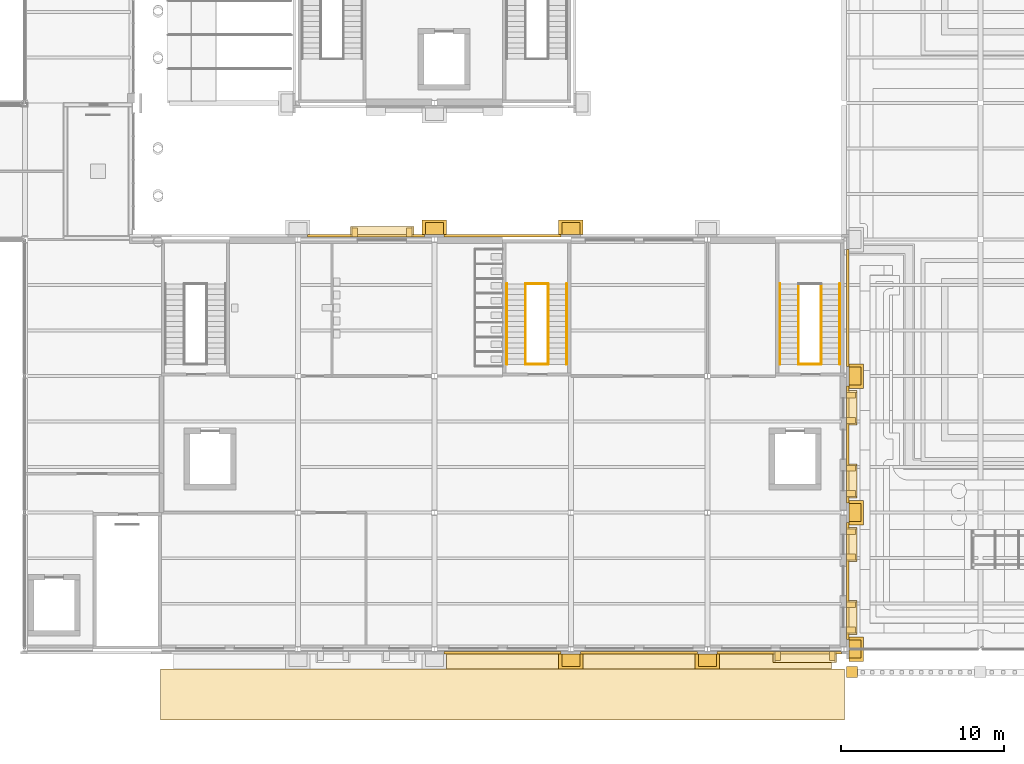
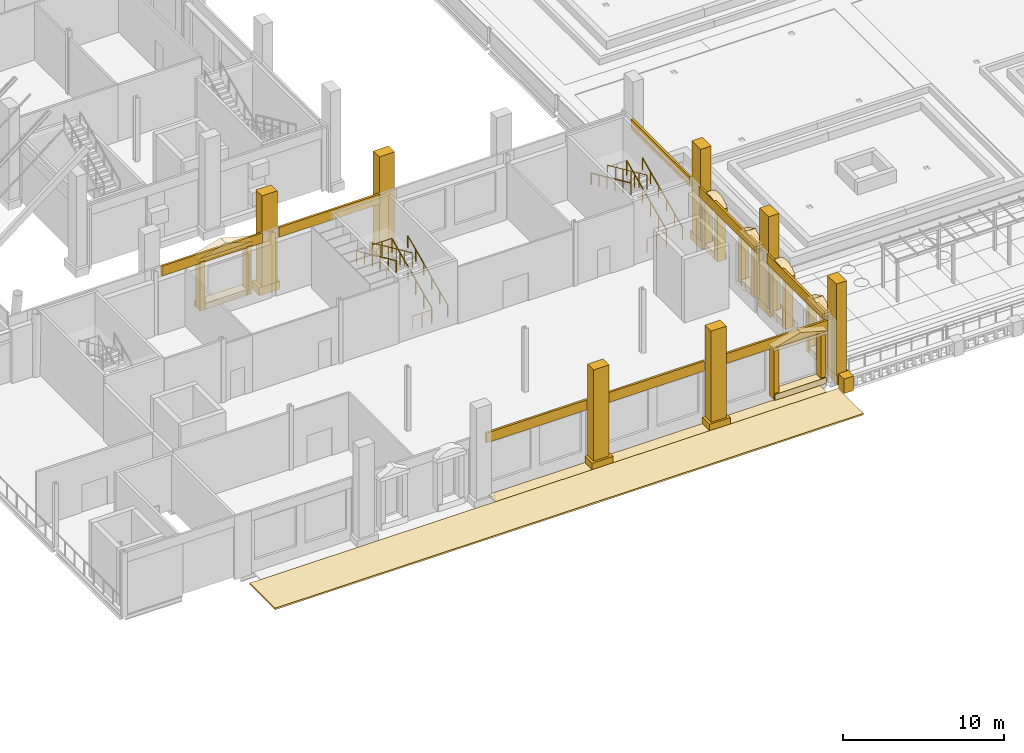
# One storey, part 64 of 76: 57 coverings, 11 railings.
"""IFC4 building model written with IfcOpenShell, lengths in metres."""

from ifc_helpers import new_model, si_unit, direction, frame, origin, origin_2d, place, context, subcontext, project, spatial, polyline, rectangle, circle, outline, extrude, material, layer, layer_set, type_object, element, save


model = new_model("IFC4")

# Units and contexts
model_context = context("Model", 3, precision=1e-05, world=origin(), true_north=direction((0.0, 1.0)))
body_context = subcontext(model_context, "Body", "Model", "MODEL_VIEW")
ifc_project = project(units=[si_unit("LENGTHUNIT", "METRE"), si_unit("AREAUNIT", "SQUARE_METRE"), si_unit("VOLUMEUNIT", "CUBIC_METRE"), si_unit("PLANEANGLEUNIT", "RADIAN"), si_unit("MASSUNIT", "GRAM", prefix="KILO")], contexts=[model_context])

# Site, building, storey
site_placement = place(None, origin())
site = spatial("IfcSite", under=ifc_project, at=site_placement, CompositionType="ELEMENT")
building_placement = place(site_placement, origin())
building = spatial("IfcBuilding", under=site, at=building_placement, Name="Sava Quay Ferry Terminal", CompositionType="ELEMENT")
storey_placement = place(building_placement, frame((0.0, 0.0, 6.0)))
storey = spatial("IfcBuildingStorey", under=building, at=storey_placement, Name="L01", CompositionType="ELEMENT", Elevation=6.0)

# Coverings
ifc_material_1 = material(Name="Standing-seam lead roofing")
ifc_layer_1 = layer(ifc_material_1, 0.1201171875)
ifc_layer_set_1 = layer_set([ifc_layer_1], Name="Standing-seam lead roofing")
covering_type_1 = type_object("IfcCoveringType", Name="Arcade roof covering 120", PredefinedType="ROOFING", material=ifc_layer_set_1)
covering_1_placement = place(storey_placement, frame((105.0, 22.419921875, 0.0), z_axis=(0.0, 0.0, 1.0), x_axis=(1.0, 0.0, 0.0)))
element("IfcCovering", 1, at=covering_1_placement, inside=storey, type_object=covering_type_1, Name="Arcade roof covering", PredefinedType="ROOFING", context=body_context, shape_type="SweptSolid", body=[
    extrude(rectangle(XDim=42.10009765625, YDim=3.139892578125, at=origin_2d()), origin(), (0.0, 0.0, 1.0), 0.1201171875),
])
for number, where, z_axis, x_axis, name in (
    (2, (105.0, 24.43994140625, 0.0), (0.0, 0.0, 1.0), (1.0, 0.0, 0.0), "Arcade roof covering"),
    (3, (113.39990234375, 24.43994140625, 0.0), (0.0, 0.0, 1.0), (1.0, 0.0, 0.0), "Arcade roof covering"),
    (4, (121.800048828125, 24.43994140625, 0.0), (0.0, 0.0, 1.0), (1.0, 0.0, 0.0), "Arcade roof covering"),
):
    element("IfcCovering", number, at=place(storey_placement, frame(where, z_axis=z_axis, x_axis=x_axis)), inside=storey, type_object=covering_type_1, Name=name, PredefinedType="ROOFING", context=body_context, shape_type="SweptSolid", body=[
        extrude(rectangle(XDim=6.89990234375, YDim=0.89990234375, at=origin_2d()), origin(), (0.0, 0.0, 1.0), 0.1201171875),
    ])
ifc_material_2 = material(Name="Limestone Mutalj", Category="masonry")
ifc_layer_2 = layer(ifc_material_2, 0.699951171875)
ifc_layer_set_2 = layer_set([ifc_layer_2], Name="Limestone Mutalj")
covering_type_2 = type_object("IfcCoveringType", Name="Balustrade pier 700", PredefinedType="MOLDING", material=ifc_layer_set_2)
covering_2_placement = place(storey_placement, frame((126.5, 23.7900390625, 0.0), z_axis=(0.0, 0.0, 1.0), x_axis=(1.0, 0.0, 0.0)))
element("IfcCovering", 5, at=covering_2_placement, inside=storey, type_object=covering_type_2, Name="Balustrade pier", PredefinedType="MOLDING", context=body_context, shape_type="SweptSolid", body=[
    extrude(rectangle(XDim=0.699951171875, YDim=0.699951171875, at=origin_2d()), origin(), (0.0, 0.0, 1.0), 1.10009765625),
])
ifc_material_3 = material(Name="Limestone Mutalj", Category="masonry")
ifc_layer_3 = layer(ifc_material_3, 0.89990234375)
ifc_layer_set_3 = layer_set([ifc_layer_3], Name="Limestone Mutalj")
covering_type_3 = type_object("IfcCoveringType", Name="Giant-order pilaster base 1500", PredefinedType="MOLDING", material=ifc_layer_set_3)
for number, where, z_axis, x_axis, name in (
    (6, (126.75, 25.199951171875, 0.0), (0.0, 0.0, 1.0), (1.0, 0.0, 0.0), "Giant-order pilaster base"),
    (7, (126.75, 33.60009765625, 0.0), (0.0, 0.0, 1.0), (1.0, 0.0, 0.0), "Giant-order pilaster base"),
    (8, (126.75, 42.0, 0.0), (0.0, 0.0, 1.0), (1.0, 0.0, 0.0), "Giant-order pilaster base"),
):
    element("IfcCovering", number, at=place(storey_placement, frame(where, z_axis=z_axis, x_axis=x_axis)), inside=storey, type_object=covering_type_3, Name=name, PredefinedType="MOLDING", context=body_context, shape_type="SweptSolid", body=[
        extrude(rectangle(XDim=0.89990234375, YDim=1.5, at=origin_2d()), origin(), (0.0, 0.0, 1.0), 0.60009765625),
    ])
for number, where, z_axis, x_axis, name in (
    (9, (100.800048828125, 51.159912109375, 0.0), (0.0, 0.0, 1.0), (1.0, 0.0, 0.0), "Giant-order pilaster base"),
    (10, (109.199951171875, 51.159912109375, 0.0), (0.0, 0.0, 1.0), (1.0, 0.0, 0.0), "Giant-order pilaster base"),
    (11, (109.199951171875, 24.43994140625, 0.0), (0.0, 0.0, 1.0), (1.0, 0.0, 0.0), "Giant-order pilaster base"),
    (12, (117.60009765625, 24.43994140625, 0.0), (0.0, 0.0, 1.0), (1.0, 0.0, 0.0), "Giant-order pilaster base"),
):
    element("IfcCovering", number, at=place(storey_placement, frame(where, z_axis=z_axis, x_axis=x_axis)), inside=storey, type_object=covering_type_3, Name=name, PredefinedType="MOLDING", context=body_context, shape_type="SweptSolid", body=[
        extrude(rectangle(XDim=1.5, YDim=0.89990234375, at=origin_2d()), origin(), (0.0, 0.0, 1.0), 0.60009765625),
    ])
ifc_material_4 = material(Name="Limestone Mutalj", Category="masonry")
ifc_layer_4 = layer(ifc_material_4, 0.75)
ifc_layer_set_4 = layer_set([ifc_layer_4], Name="Limestone Mutalj")
covering_type_4 = type_object("IfcCoveringType", Name="Giant-order pilaster shaft 1100", PredefinedType="CLADDING", material=ifc_layer_set_4)
for number, where, z_axis, x_axis, name in (
    (13, (126.675048828125, 25.199951171875, 0.60009765625), (0.0, 0.0, 1.0), (1.0, 0.0, 0.0), "Giant-order pilaster"),
    (14, (126.675048828125, 33.60009765625, 0.60009765625), (0.0, 0.0, 1.0), (1.0, 0.0, 0.0), "Giant-order pilaster"),
    (15, (126.675048828125, 42.0, 0.60009765625), (0.0, 0.0, 1.0), (1.0, 0.0, 0.0), "Giant-order pilaster"),
):
    element("IfcCovering", number, at=place(storey_placement, frame(where, z_axis=z_axis, x_axis=x_axis)), inside=storey, type_object=covering_type_4, Name=name, PredefinedType="CLADDING", context=body_context, shape_type="SweptSolid", body=[
        extrude(rectangle(XDim=0.75, YDim=1.10009765625, at=origin_2d()), origin(), (0.0, 0.0, 1.0), 6.89990234375),
    ])
for number, where, z_axis, x_axis, name in (
    (16, (100.800048828125, 51.0849609375, 0.60009765625), (0.0, 0.0, 1.0), (1.0, 0.0, 0.0), "Giant-order pilaster"),
    (17, (109.199951171875, 51.0849609375, 0.60009765625), (0.0, 0.0, 1.0), (1.0, 0.0, 0.0), "Giant-order pilaster"),
    (18, (109.199951171875, 24.514892578125, 0.60009765625), (0.0, 0.0, 1.0), (1.0, 0.0, 0.0), "Giant-order pilaster"),
    (19, (117.60009765625, 24.514892578125, 0.60009765625), (0.0, 0.0, 1.0), (1.0, 0.0, 0.0), "Giant-order pilaster"),
):
    element("IfcCovering", number, at=place(storey_placement, frame(where, z_axis=z_axis, x_axis=x_axis)), inside=storey, type_object=covering_type_4, Name=name, PredefinedType="CLADDING", context=body_context, shape_type="SweptSolid", body=[
        extrude(rectangle(XDim=1.10009765625, YDim=0.75, at=origin_2d()), origin(), (0.0, 0.0, 1.0), 6.89990234375),
    ])

# Railings
ifc_material_5 = material(Name="Steel S355", Category="steel")
railing_type_1 = type_object("IfcRailingType", Name="Guard 1100", PredefinedType="GUARDRAIL", material=ifc_material_5)
railing_1_placement = place(storey_placement, frame((106.39990234375, 42.72998046875, 0.0)))
element("IfcRailing", 20, at=railing_1_placement, inside=storey, type_object=railing_type_1, Name="Guard at stair well ST-P3 L01", PredefinedType="GUARDRAIL", context=body_context, shape_type="SweptSolid", body=[
    extrude(circle(Radius=0.02392578125, at=origin_2d()), frame((0.0, 0.0, 1.076171875), z_axis=(1.0, 0.0, 0.0), x_axis=(0.0, 1.0, 0.0)), (0.0, 0.0, 1.0), 1.400146484375),
    extrude(circle(Radius=0.02099609375, at=origin_2d()), origin(), (0.0, 0.0, 1.0), 1.052001953125),
    extrude(circle(Radius=0.02099609375, at=origin_2d()), frame((0.7001953125, 0.0, 0.0)), (0.0, 0.0, 1.0), 1.052001953125),
    extrude(circle(Radius=0.02099609375, at=origin_2d()), frame((1.400146484375, 0.0, 0.0)), (0.0, 0.0, 1.0), 1.052001953125),
])
railing_2_placement = place(storey_placement, frame((107.800048828125, 42.72998046875, 0.14990234375)))
element("IfcRailing", 21, at=railing_2_placement, inside=storey, type_object=railing_type_1, Name="Guard at stair well ST-P3 L01", PredefinedType="GUARDRAIL", context=body_context, shape_type="SweptSolid", body=[
    extrude(circle(Radius=0.02392578125, at=origin_2d()), frame((0.0, 0.0, 1.076171875), z_axis=(0.0, 0.910364939756, 0.41380632724), x_axis=(-1.0, 0.0, 0.0)), (0.0, 0.0, 1.0), 5.437255859375),
    extrude(circle(Radius=0.02099609375, at=origin_2d()), origin(), (0.0, 0.0, 1.0), 1.052001953125),
    extrude(circle(Radius=0.02099609375, at=origin_2d()), frame((0.0, 0.989990234375, 0.449951171875)), (0.0, 0.0, 1.0), 1.052001953125),
    extrude(circle(Radius=0.02099609375, at=origin_2d()), frame((0.0, 1.97998046875, 0.89990234375)), (0.0, 0.0, 1.0), 1.052001953125),
    extrude(circle(Radius=0.02099609375, at=origin_2d()), frame((0.0, 2.969970703125, 1.35009765625)), (0.0, 0.0, 1.0), 1.052001953125),
    extrude(circle(Radius=0.02099609375, at=origin_2d()), frame((0.0, 3.9599609375, 1.800048828125)), (0.0, 0.0, 1.0), 1.052001953125),
    extrude(circle(Radius=0.02099609375, at=origin_2d()), frame((0.0, 4.949951171875, 2.25)), (0.0, 0.0, 1.0), 1.052001953125),
])
railing_3_placement = place(storey_placement, frame((106.39990234375, 47.679931640625, 2.550048828125)))
element("IfcRailing", 22, at=railing_3_placement, inside=storey, type_object=railing_type_1, Name="Guard at stair well ST-P3 L01", PredefinedType="GUARDRAIL", context=body_context, shape_type="SweptSolid", body=[
    extrude(circle(Radius=0.02392578125, at=origin_2d()), frame((0.0, 0.0, 1.076171875), z_axis=(0.0, -0.910364939756, 0.41380632724), x_axis=(1.0, 0.0, 0.0)), (0.0, 0.0, 1.0), 5.437255859375),
    extrude(circle(Radius=0.02099609375, at=origin_2d()), origin(), (0.0, 0.0, 1.0), 1.052001953125),
    extrude(circle(Radius=0.02099609375, at=origin_2d()), frame((0.0, -0.989990234375, 0.449951171875)), (0.0, 0.0, 1.0), 1.052001953125),
    extrude(circle(Radius=0.02099609375, at=origin_2d()), frame((0.0, -1.97998046875, 0.89990234375)), (0.0, 0.0, 1.0), 1.052001953125),
    extrude(circle(Radius=0.02099609375, at=origin_2d()), frame((0.0, -2.969970703125, 1.35009765625)), (0.0, 0.0, 1.0), 1.052001953125),
    extrude(circle(Radius=0.02099609375, at=origin_2d()), frame((0.0, -3.9599609375, 1.800048828125)), (0.0, 0.0, 1.0), 1.052001953125),
    extrude(circle(Radius=0.02099609375, at=origin_2d()), frame((0.0, -4.949951171875, 2.25)), (0.0, 0.0, 1.0), 1.052001953125),
])
for number, where, name in (
    (23, (106.39990234375, 47.679931640625, 2.39990234375), "Guard at half landing ST-P3 L01"),
    (24, (123.199951171875, 42.72998046875, 0.0), "Guard at stair well ST-P2 L01"),
):
    element("IfcRailing", number, at=place(storey_placement, frame(where)), inside=storey, type_object=railing_type_1, Name=name, PredefinedType="GUARDRAIL", context=body_context, shape_type="SweptSolid", body=[
        extrude(circle(Radius=0.02392578125, at=origin_2d()), frame((0.0, 0.0, 1.076171875), z_axis=(1.0, 0.0, 0.0), x_axis=(0.0, 1.0, 0.0)), (0.0, 0.0, 1.0), 1.400146484375),
        extrude(circle(Radius=0.02099609375, at=origin_2d()), origin(), (0.0, 0.0, 1.0), 1.052001953125),
        extrude(circle(Radius=0.02099609375, at=origin_2d()), frame((0.7001953125, 0.0, 0.0)), (0.0, 0.0, 1.0), 1.052001953125),
        extrude(circle(Radius=0.02099609375, at=origin_2d()), frame((1.400146484375, 0.0, 0.0)), (0.0, 0.0, 1.0), 1.052001953125),
    ])
railing_4_placement = place(storey_placement, frame((124.60009765625, 42.72998046875, 0.14990234375)))
element("IfcRailing", 25, at=railing_4_placement, inside=storey, type_object=railing_type_1, Name="Guard at stair well ST-P2 L01", PredefinedType="GUARDRAIL", context=body_context, shape_type="SweptSolid", body=[
    extrude(circle(Radius=0.02392578125, at=origin_2d()), frame((0.0, 0.0, 1.076171875), z_axis=(0.0, 0.910364939756, 0.41380632724), x_axis=(-1.0, 0.0, 0.0)), (0.0, 0.0, 1.0), 5.437255859375),
    extrude(circle(Radius=0.02099609375, at=origin_2d()), origin(), (0.0, 0.0, 1.0), 1.052001953125),
    extrude(circle(Radius=0.02099609375, at=origin_2d()), frame((0.0, 0.989990234375, 0.449951171875)), (0.0, 0.0, 1.0), 1.052001953125),
    extrude(circle(Radius=0.02099609375, at=origin_2d()), frame((0.0, 1.97998046875, 0.89990234375)), (0.0, 0.0, 1.0), 1.052001953125),
    extrude(circle(Radius=0.02099609375, at=origin_2d()), frame((0.0, 2.969970703125, 1.35009765625)), (0.0, 0.0, 1.0), 1.052001953125),
    extrude(circle(Radius=0.02099609375, at=origin_2d()), frame((0.0, 3.9599609375, 1.800048828125)), (0.0, 0.0, 1.0), 1.052001953125),
    extrude(circle(Radius=0.02099609375, at=origin_2d()), frame((0.0, 4.949951171875, 2.25)), (0.0, 0.0, 1.0), 1.052001953125),
])
railing_5_placement = place(storey_placement, frame((123.199951171875, 47.679931640625, 2.550048828125)))
element("IfcRailing", 26, at=railing_5_placement, inside=storey, type_object=railing_type_1, Name="Guard at stair well ST-P2 L01", PredefinedType="GUARDRAIL", context=body_context, shape_type="SweptSolid", body=[
    extrude(circle(Radius=0.02392578125, at=origin_2d()), frame((0.0, 0.0, 1.076171875), z_axis=(0.0, -0.910364939756, 0.41380632724), x_axis=(1.0, 0.0, 0.0)), (0.0, 0.0, 1.0), 5.437255859375),
    extrude(circle(Radius=0.02099609375, at=origin_2d()), origin(), (0.0, 0.0, 1.0), 1.052001953125),
    extrude(circle(Radius=0.02099609375, at=origin_2d()), frame((0.0, -0.989990234375, 0.449951171875)), (0.0, 0.0, 1.0), 1.052001953125),
    extrude(circle(Radius=0.02099609375, at=origin_2d()), frame((0.0, -1.97998046875, 0.89990234375)), (0.0, 0.0, 1.0), 1.052001953125),
    extrude(circle(Radius=0.02099609375, at=origin_2d()), frame((0.0, -2.969970703125, 1.35009765625)), (0.0, 0.0, 1.0), 1.052001953125),
    extrude(circle(Radius=0.02099609375, at=origin_2d()), frame((0.0, -3.9599609375, 1.800048828125)), (0.0, 0.0, 1.0), 1.052001953125),
    extrude(circle(Radius=0.02099609375, at=origin_2d()), frame((0.0, -4.949951171875, 2.25)), (0.0, 0.0, 1.0), 1.052001953125),
])

# Coverings
ifc_material_6 = material(Name="Limestone Mutalj", Category="masonry")
ifc_layer_5 = layer(ifc_material_6, 0.14990234375)
ifc_layer_set_5 = layer_set([ifc_layer_5], Name="Limestone Mutalj")
covering_type_5 = type_object("IfcCoveringType", Name="Limestone string course 150", PredefinedType="CLADDING", material=ifc_layer_set_5)
covering_3_placement = place(storey_placement, frame((0.0, 0.0, 4.050048828125)))
element("IfcCovering", 27, at=covering_3_placement, inside=storey, type_object=covering_type_5, Name="String course P-N", PredefinedType="CLADDING", context=body_context, shape_type="SweptSolid", body=[
    extrude(outline(polyline([(93.0, 50.56005859375), (100.199951171875, 50.56005859375), (100.199951171875, 50.7099609375), (93.0, 50.7099609375), (93.0, 50.56005859375)])), origin(), (0.0, 0.0, 1.0), 0.75),
])
covering_4_placement = place(storey_placement, frame((0.0, 0.0, 4.050048828125)))
element("IfcCovering", 28, at=covering_4_placement, inside=storey, type_object=covering_type_5, Name="String course P-N", PredefinedType="CLADDING", context=body_context, shape_type="SweptSolid", body=[
    extrude(outline(polyline([(101.39990234375, 50.56005859375), (108.60009765625, 50.56005859375), (108.60009765625, 50.7099609375), (101.39990234375, 50.7099609375), (101.39990234375, 50.56005859375)])), origin(), (0.0, 0.0, 1.0), 0.75),
])
covering_5_placement = place(storey_placement, frame((0.0, 0.0, 4.050048828125)))
element("IfcCovering", 29, at=covering_5_placement, inside=storey, type_object=covering_type_5, Name="String course P-E", PredefinedType="CLADDING", context=body_context, shape_type="SweptSolid", body=[
    extrude(outline(polyline([(126.14990234375, 25.800048828125), (126.14990234375, 33.0), (126.300048828125, 33.0), (126.300048828125, 25.800048828125), (126.14990234375, 25.800048828125)])), origin(), (0.0, 0.0, 1.0), 0.75),
])
covering_6_placement = place(storey_placement, frame((0.0, 0.0, 4.050048828125)))
element("IfcCovering", 30, at=covering_6_placement, inside=storey, type_object=covering_type_5, Name="String course P-E", PredefinedType="CLADDING", context=body_context, shape_type="SweptSolid", body=[
    extrude(outline(polyline([(126.14990234375, 34.199951171875), (126.14990234375, 41.39990234375), (126.300048828125, 41.39990234375), (126.300048828125, 34.199951171875), (126.14990234375, 34.199951171875)])), origin(), (0.0, 0.0, 1.0), 0.75),
])
covering_7_placement = place(storey_placement, frame((0.0, 0.0, 4.050048828125)))
element("IfcCovering", 31, at=covering_7_placement, inside=storey, type_object=covering_type_5, Name="String course P-E", PredefinedType="CLADDING", context=body_context, shape_type="SweptSolid", body=[
    extrude(outline(polyline([(126.14990234375, 42.60009765625), (126.14990234375, 49.800048828125), (126.300048828125, 49.800048828125), (126.300048828125, 42.60009765625), (126.14990234375, 42.60009765625)])), origin(), (0.0, 0.0, 1.0), 0.75),
])
covering_8_placement = place(storey_placement, frame((0.0, 0.0, 4.050048828125)))
element("IfcCovering", 32, at=covering_8_placement, inside=storey, type_object=covering_type_5, Name="String course P-S", PredefinedType="CLADDING", context=body_context, shape_type="SweptSolid", body=[
    extrude(outline(polyline([(101.39990234375, 25.0400390625), (108.60009765625, 25.0400390625), (108.60009765625, 24.889892578125), (101.39990234375, 24.889892578125), (101.39990234375, 25.0400390625)])), origin(), (0.0, 0.0, 1.0), 0.75),
])
covering_9_placement = place(storey_placement, frame((0.0, 0.0, 4.050048828125)))
element("IfcCovering", 33, at=covering_9_placement, inside=storey, type_object=covering_type_5, Name="String course P-S", PredefinedType="CLADDING", context=body_context, shape_type="SweptSolid", body=[
    extrude(outline(polyline([(109.800048828125, 25.0400390625), (117.0, 25.0400390625), (117.0, 24.889892578125), (109.800048828125, 24.889892578125), (109.800048828125, 25.0400390625)])), origin(), (0.0, 0.0, 1.0), 0.75),
])
covering_10_placement = place(storey_placement, frame((0.0, 0.0, 4.050048828125)))
element("IfcCovering", 34, at=covering_10_placement, inside=storey, type_object=covering_type_5, Name="String course P-S", PredefinedType="CLADDING", context=body_context, shape_type="SweptSolid", body=[
    extrude(outline(polyline([(118.199951171875, 25.0400390625), (125.85009765625, 25.0400390625), (125.85009765625, 24.889892578125), (118.199951171875, 24.889892578125), (118.199951171875, 25.0400390625)])), origin(), (0.0, 0.0, 1.0), 0.75),
])
ifc_material_7 = material(Name="Limestone Mutalj", Category="masonry")
ifc_layer_6 = layer(ifc_material_7, 0.64990234375)
ifc_layer_set_6 = layer_set([ifc_layer_6], Name="Limestone Mutalj")
covering_type_6 = type_object("IfcCoveringType", Name="Segmental window head 500", PredefinedType="MOLDING", material=ifc_layer_set_6)
covering_11_placement = place(storey_placement, frame((126.14990234375, 30.60009765625, 4.39990234375), z_axis=(-1.0, 0.0, 0.0), x_axis=(0.0, 0.71122974715, 0.702959633811)))
element("IfcCovering", 35, at=covering_11_placement, inside=storey, type_object=covering_type_6, Name="Segmental window head", PredefinedType="MOLDING", context=body_context, shape_type="SweptSolid", body=[
    extrude(outline(polyline([(0.0, 0.0), (0.29520831818581716, 0.0), (0.5408181661149173, 0.05018198167150195), (0.752447055183014, 0.1347446981906073), (0.9373030675727445, 0.24639526640782444), (1.0981321393536847, 0.382355445123347), (1.2361376366269134, 0.5417550148915962), (1.3499425532163642, 0.7252925741538023), (1.4369745931274485, 0.93591798511412), (1.4900256741775295, 1.1809241309220415), (1.4934782849708934, 1.4761122584014645), (0.0, 0.0)])), origin(), (0.0, 0.0, -1.0), 0.64990234375),
])
covering_12_placement = place(storey_placement, frame((126.14990234375, 39.0, 4.39990234375), z_axis=(-1.0, 0.0, 0.0), x_axis=(0.0, 0.71122974715, 0.702959633811)))
element("IfcCovering", 36, at=covering_12_placement, inside=storey, type_object=covering_type_6, Name="Segmental window head", PredefinedType="MOLDING", context=body_context, shape_type="SweptSolid", body=[
    extrude(outline(polyline([(0.0, 0.0), (0.29520831818581716, 0.0), (0.5408181661149173, 0.05018198167150195), (0.752447055183014, 0.1347446981906073), (0.9374767076477324, 0.24656688741217297), (1.0983057794286726, 0.38252706612769555), (1.2361376366269134, 0.5417550148915962), (1.3499425532163642, 0.7252925741538023), (1.4369745931274485, 0.93591798511412), (1.4900256741775295, 1.1809241309220415), (1.4936519250458813, 1.476283879405813), (0.0, 0.0)])), origin(), (0.0, 0.0, -1.0), 0.64990234375),
])

# Railings
ifc_material_8 = material(Name="Steel S355", Category="steel")
railing_type_2 = type_object("IfcRailingType", Name="Stair handrail 900", PredefinedType="HANDRAIL", material=ifc_material_8)
railing_6_placement = place(storey_placement, frame((108.93994140625, 42.72998046875, 0.14990234375)))
element("IfcRailing", 37, at=railing_6_placement, inside=storey, type_object=railing_type_2, Name="Handrail ST-P3 L01", PredefinedType="HANDRAIL", context=body_context, shape_type="SweptSolid", body=[
    extrude(circle(Radius=0.02392578125, at=origin_2d()), frame((0.0, 0.0, 0.8759765625), z_axis=(0.0, 0.910364939756, 0.41380632724), x_axis=(-1.0, 0.0, 0.0)), (0.0, 0.0, 1.0), 5.437255859375),
    extrude(circle(Radius=0.02099609375, at=origin_2d()), origin(), (0.0, 0.0, 1.0), 0.851806640625),
    extrude(circle(Radius=0.02099609375, at=origin_2d()), frame((0.0, 0.989990234375, 0.449951171875)), (0.0, 0.0, 1.0), 0.851806640625),
    extrude(circle(Radius=0.02099609375, at=origin_2d()), frame((0.0, 1.97998046875, 0.89990234375)), (0.0, 0.0, 1.0), 0.851806640625),
    extrude(circle(Radius=0.02099609375, at=origin_2d()), frame((0.0, 2.969970703125, 1.35009765625)), (0.0, 0.0, 1.0), 0.851806640625),
    extrude(circle(Radius=0.02099609375, at=origin_2d()), frame((0.0, 3.9599609375, 1.800048828125)), (0.0, 0.0, 1.0), 0.851806640625),
    extrude(circle(Radius=0.02099609375, at=origin_2d()), frame((0.0, 4.949951171875, 2.25)), (0.0, 0.0, 1.0), 0.851806640625),
])
railing_7_placement = place(storey_placement, frame((105.260009765625, 47.679931640625, 2.550048828125)))
element("IfcRailing", 38, at=railing_7_placement, inside=storey, type_object=railing_type_2, Name="Handrail ST-P3 L01", PredefinedType="HANDRAIL", context=body_context, shape_type="SweptSolid", body=[
    extrude(circle(Radius=0.02392578125, at=origin_2d()), frame((0.0, 0.0, 0.8759765625), z_axis=(0.0, -0.910364939756, 0.41380632724), x_axis=(1.0, 0.0, 0.0)), (0.0, 0.0, 1.0), 5.437255859375),
    extrude(circle(Radius=0.02099609375, at=origin_2d()), origin(), (0.0, 0.0, 1.0), 0.851806640625),
    extrude(circle(Radius=0.02099609375, at=origin_2d()), frame((0.0, -0.989990234375, 0.449951171875)), (0.0, 0.0, 1.0), 0.851806640625),
    extrude(circle(Radius=0.02099609375, at=origin_2d()), frame((0.0, -1.97998046875, 0.89990234375)), (0.0, 0.0, 1.0), 0.851806640625),
    extrude(circle(Radius=0.02099609375, at=origin_2d()), frame((0.0, -2.969970703125, 1.35009765625)), (0.0, 0.0, 1.0), 0.851806640625),
    extrude(circle(Radius=0.02099609375, at=origin_2d()), frame((0.0, -3.9599609375, 1.800048828125)), (0.0, 0.0, 1.0), 0.851806640625),
    extrude(circle(Radius=0.02099609375, at=origin_2d()), frame((0.0, -4.949951171875, 2.25)), (0.0, 0.0, 1.0), 0.851806640625),
])
railing_8_placement = place(storey_placement, frame((125.739990234375, 42.72998046875, 0.14990234375)))
element("IfcRailing", 39, at=railing_8_placement, inside=storey, type_object=railing_type_2, Name="Handrail ST-P2 L01", PredefinedType="HANDRAIL", context=body_context, shape_type="SweptSolid", body=[
    extrude(circle(Radius=0.02392578125, at=origin_2d()), frame((0.0, 0.0, 0.8759765625), z_axis=(0.0, 0.910364939756, 0.41380632724), x_axis=(-1.0, 0.0, 0.0)), (0.0, 0.0, 1.0), 5.437255859375),
    extrude(circle(Radius=0.02099609375, at=origin_2d()), origin(), (0.0, 0.0, 1.0), 0.851806640625),
    extrude(circle(Radius=0.02099609375, at=origin_2d()), frame((0.0, 0.989990234375, 0.449951171875)), (0.0, 0.0, 1.0), 0.851806640625),
    extrude(circle(Radius=0.02099609375, at=origin_2d()), frame((0.0, 1.97998046875, 0.89990234375)), (0.0, 0.0, 1.0), 0.851806640625),
    extrude(circle(Radius=0.02099609375, at=origin_2d()), frame((0.0, 2.969970703125, 1.35009765625)), (0.0, 0.0, 1.0), 0.851806640625),
    extrude(circle(Radius=0.02099609375, at=origin_2d()), frame((0.0, 3.9599609375, 1.800048828125)), (0.0, 0.0, 1.0), 0.851806640625),
    extrude(circle(Radius=0.02099609375, at=origin_2d()), frame((0.0, 4.949951171875, 2.25)), (0.0, 0.0, 1.0), 0.851806640625),
])
railing_9_placement = place(storey_placement, frame((122.06005859375, 47.679931640625, 2.550048828125)))
element("IfcRailing", 40, at=railing_9_placement, inside=storey, type_object=railing_type_2, Name="Handrail ST-P2 L01", PredefinedType="HANDRAIL", context=body_context, shape_type="SweptSolid", body=[
    extrude(circle(Radius=0.02392578125, at=origin_2d()), frame((0.0, 0.0, 0.8759765625), z_axis=(0.0, -0.910364939756, 0.41380632724), x_axis=(1.0, 0.0, 0.0)), (0.0, 0.0, 1.0), 5.437255859375),
    extrude(circle(Radius=0.02099609375, at=origin_2d()), origin(), (0.0, 0.0, 1.0), 0.851806640625),
    extrude(circle(Radius=0.02099609375, at=origin_2d()), frame((0.0, -0.989990234375, 0.449951171875)), (0.0, 0.0, 1.0), 0.851806640625),
    extrude(circle(Radius=0.02099609375, at=origin_2d()), frame((0.0, -1.97998046875, 0.89990234375)), (0.0, 0.0, 1.0), 0.851806640625),
    extrude(circle(Radius=0.02099609375, at=origin_2d()), frame((0.0, -2.969970703125, 1.35009765625)), (0.0, 0.0, 1.0), 0.851806640625),
    extrude(circle(Radius=0.02099609375, at=origin_2d()), frame((0.0, -3.9599609375, 1.800048828125)), (0.0, 0.0, 1.0), 0.851806640625),
    extrude(circle(Radius=0.02099609375, at=origin_2d()), frame((0.0, -4.949951171875, 2.25)), (0.0, 0.0, 1.0), 0.851806640625),
])

# Coverings
ifc_material_9 = material(Name="Limestone Mutalj", Category="masonry")
ifc_layer_7 = layer(ifc_material_9, 0.64990234375)
ifc_layer_set_7 = layer_set([ifc_layer_7], Name="Limestone Mutalj")
covering_type_7 = type_object("IfcCoveringType", Name="Triangular window head 500", PredefinedType="MOLDING", material=ifc_layer_set_7)
covering_13_placement = place(storey_placement, frame((126.800048828125, 26.10009765625, 4.39990234375), z_axis=(1.0, 0.0, 0.0), x_axis=(0.0, 1.0, 0.0)))
element("IfcCovering", 41, at=covering_13_placement, inside=storey, type_object=covering_type_7, Name="Triangular window head", PredefinedType="MOLDING", context=body_context, shape_type="SweptSolid", body=[
    extrude(outline(polyline([(0.0, 0.0), (2.099853515625, 0.0), (1.0498046875, 0.550048828125), (0.0, 0.0)])), origin(), (0.0, 0.0, -1.0), 0.64990234375),
])
covering_14_placement = place(storey_placement, frame((126.800048828125, 34.5, 4.39990234375), z_axis=(1.0, 0.0, 0.0), x_axis=(0.0, 1.0, 0.0)))
element("IfcCovering", 42, at=covering_14_placement, inside=storey, type_object=covering_type_7, Name="Triangular window head", PredefinedType="MOLDING", context=body_context, shape_type="SweptSolid", body=[
    extrude(outline(polyline([(0.0, 0.0), (2.10009765625, 0.0), (1.050048828125, 0.550048828125), (0.0, 0.0)])), origin(), (0.0, 0.0, -1.0), 0.64990234375),
])
for number, where, z_axis, x_axis, name in (
    (43, (95.631103515625, 50.56005859375, 4.39990234375), (0.0, -1.0, 0.0), (1.0, 0.0, 0.0), "Triangular window head"),
    (44, (121.64990234375, 24.389892578125, 4.39990234375), (0.0, -1.0, 0.0), (1.0, 0.0, 0.0), "Triangular window head"),
):
    element("IfcCovering", number, at=place(storey_placement, frame(where, z_axis=z_axis, x_axis=x_axis)), inside=storey, type_object=covering_type_7, Name=name, PredefinedType="MOLDING", context=body_context, shape_type="SweptSolid", body=[
        extrude(outline(polyline([(0.0, 0.0), (3.900146484375, 0.0), (1.9501953125, 0.550048828125), (0.0, 0.0)])), origin(), (0.0, 0.0, -1.0), 0.64990234375),
    ])
ifc_material_10 = material(Name="Limestone Mutalj", Category="masonry")
ifc_layer_8 = layer(ifc_material_10, 0.550048828125)
ifc_layer_set_8 = layer_set([ifc_layer_8], Name="Limestone Mutalj")
covering_type_8 = type_object("IfcCoveringType", Name="Window surround jamb 350", PredefinedType="MOLDING", material=ifc_layer_set_8)
for number, where, z_axis, x_axis, name in (
    (45, (126.425048828125, 26.375, 0.4501953125), (0.0, 0.0, 1.0), (1.0, 0.0, 0.0), "Window surround jamb"),
    (46, (126.425048828125, 27.925048828125, 0.4501953125), (0.0, 0.0, 1.0), (1.0, 0.0, 0.0), "Window surround jamb"),
    (47, (126.425048828125, 30.875, 0.4501953125), (0.0, 0.0, 1.0), (1.0, 0.0, 0.0), "Window surround jamb"),
    (48, (126.425048828125, 32.425048828125, 0.4501953125), (0.0, 0.0, 1.0), (1.0, 0.0, 0.0), "Window surround jamb"),
    (49, (126.425048828125, 34.77490234375, 0.4501953125), (0.0, 0.0, 1.0), (1.0, 0.0, 0.0), "Window surround jamb"),
    (50, (126.425048828125, 36.324951171875, 0.4501953125), (0.0, 0.0, 1.0), (1.0, 0.0, 0.0), "Window surround jamb"),
    (51, (126.425048828125, 39.27490234375, 0.4501953125), (0.0, 0.0, 1.0), (1.0, 0.0, 0.0), "Window surround jamb"),
    (52, (126.425048828125, 40.824951171875, 0.4501953125), (0.0, 0.0, 1.0), (1.0, 0.0, 0.0), "Window surround jamb"),
):
    element("IfcCovering", number, at=place(storey_placement, frame(where, z_axis=z_axis, x_axis=x_axis)), inside=storey, type_object=covering_type_8, Name=name, PredefinedType="MOLDING", context=body_context, shape_type="SweptSolid", body=[
        extrude(rectangle(XDim=0.550048828125, YDim=0.35009765625, at=origin_2d()), origin(), (0.0, 0.0, 1.0), 3.699951171875),
    ])
for number, where, z_axis, x_axis, name in (
    (53, (95.90625, 50.8349609375, 0.4501953125), (0.0, 0.0, 1.0), (1.0, 0.0, 0.0), "Window surround jamb"),
    (54, (99.256103515625, 50.8349609375, 0.4501953125), (0.0, 0.0, 1.0), (1.0, 0.0, 0.0), "Window surround jamb"),
    (55, (121.925048828125, 24.764892578125, 0.4501953125), (0.0, 0.0, 1.0), (1.0, 0.0, 0.0), "Window surround jamb"),
    (56, (125.27490234375, 24.764892578125, 0.4501953125), (0.0, 0.0, 1.0), (1.0, 0.0, 0.0), "Window surround jamb"),
):
    element("IfcCovering", number, at=place(storey_placement, frame(where, z_axis=z_axis, x_axis=x_axis)), inside=storey, type_object=covering_type_8, Name=name, PredefinedType="MOLDING", context=body_context, shape_type="SweptSolid", body=[
        extrude(rectangle(XDim=0.35009765625, YDim=0.550048828125, at=origin_2d()), origin(), (0.0, 0.0, 1.0), 3.699951171875),
    ])
ifc_material_11 = material(Name="Limestone Mutalj", Category="masonry")
ifc_layer_9 = layer(ifc_material_11, 0.64990234375)
ifc_layer_set_9 = layer_set([ifc_layer_9], Name="Limestone Mutalj")
covering_type_9 = type_object("IfcCoveringType", Name="Window surround lintel 300", PredefinedType="MOLDING", material=ifc_layer_set_9)
for number, where, z_axis, x_axis, name in (
    (57, (126.47509765625, 27.14990234375, 4.14990234375), (0.0, 0.0, 1.0), (1.0, 0.0, 0.0), "Window surround lintel"),
    (58, (126.47509765625, 31.64990234375, 4.14990234375), (0.0, 0.0, 1.0), (1.0, 0.0, 0.0), "Window surround lintel"),
    (59, (126.47509765625, 35.550048828125, 4.14990234375), (0.0, 0.0, 1.0), (1.0, 0.0, 0.0), "Window surround lintel"),
    (60, (126.47509765625, 40.050048828125, 4.14990234375), (0.0, 0.0, 1.0), (1.0, 0.0, 0.0), "Window surround lintel"),
):
    element("IfcCovering", number, at=place(storey_placement, frame(where, z_axis=z_axis, x_axis=x_axis)), inside=storey, type_object=covering_type_9, Name=name, PredefinedType="MOLDING", context=body_context, shape_type="SweptSolid", body=[
        extrude(rectangle(XDim=0.64990234375, YDim=2.10009765625, at=origin_2d()), origin(), (0.0, 0.0, 1.0), 0.25),
    ])
for number, where, z_axis, x_axis, name in (
    (61, (97.581298828125, 50.885009765625, 4.14990234375), (0.0, 0.0, 1.0), (1.0, 0.0, 0.0), "Window surround lintel"),
    (62, (123.60009765625, 24.715087890625, 4.14990234375), (0.0, 0.0, 1.0), (1.0, 0.0, 0.0), "Window surround lintel"),
):
    element("IfcCovering", number, at=place(storey_placement, frame(where, z_axis=z_axis, x_axis=x_axis)), inside=storey, type_object=covering_type_9, Name=name, PredefinedType="MOLDING", context=body_context, shape_type="SweptSolid", body=[
        extrude(rectangle(XDim=3.89990234375, YDim=0.64990234375, at=origin_2d()), origin(), (0.0, 0.0, 1.0), 0.25),
    ])
ifc_material_12 = material(Name="Limestone Mutalj", Category="masonry")
ifc_layer_10 = layer(ifc_material_12, 0.64990234375)
ifc_layer_set_10 = layer_set([ifc_layer_10], Name="Limestone Mutalj")
covering_type_10 = type_object("IfcCoveringType", Name="Window surround sill 450", PredefinedType="MOLDING", material=ifc_layer_set_10)
for number, where, z_axis, x_axis, name in (
    (63, (126.47509765625, 27.14990234375, 0.4501953125), (0.0, 0.0, 1.0), (1.0, 0.0, 0.0), "Window surround sill"),
    (64, (126.47509765625, 31.64990234375, 0.4501953125), (0.0, 0.0, 1.0), (1.0, 0.0, 0.0), "Window surround sill"),
    (65, (126.47509765625, 35.550048828125, 0.4501953125), (0.0, 0.0, 1.0), (1.0, 0.0, 0.0), "Window surround sill"),
    (66, (126.47509765625, 40.050048828125, 0.4501953125), (0.0, 0.0, 1.0), (1.0, 0.0, 0.0), "Window surround sill"),
):
    element("IfcCovering", number, at=place(storey_placement, frame(where, z_axis=z_axis, x_axis=x_axis)), inside=storey, type_object=covering_type_10, Name=name, PredefinedType="MOLDING", context=body_context, shape_type="SweptSolid", body=[
        extrude(rectangle(XDim=0.64990234375, YDim=1.89990234375, at=origin_2d()), origin(), (0.0, 0.0, 1.0), 0.449951171875),
    ])
for number, where, z_axis, x_axis, name in (
    (67, (97.581298828125, 50.885009765625, 0.4501953125), (0.0, 0.0, 1.0), (1.0, 0.0, 0.0), "Window surround sill"),
    (68, (123.60009765625, 24.715087890625, 0.4501953125), (0.0, 0.0, 1.0), (1.0, 0.0, 0.0), "Window surround sill"),
):
    element("IfcCovering", number, at=place(storey_placement, frame(where, z_axis=z_axis, x_axis=x_axis)), inside=storey, type_object=covering_type_10, Name=name, PredefinedType="MOLDING", context=body_context, shape_type="SweptSolid", body=[
        extrude(rectangle(XDim=3.699951171875, YDim=0.64990234375, at=origin_2d()), origin(), (0.0, 0.0, 1.0), 0.449951171875),
    ])

save(model, "model.ifc")
